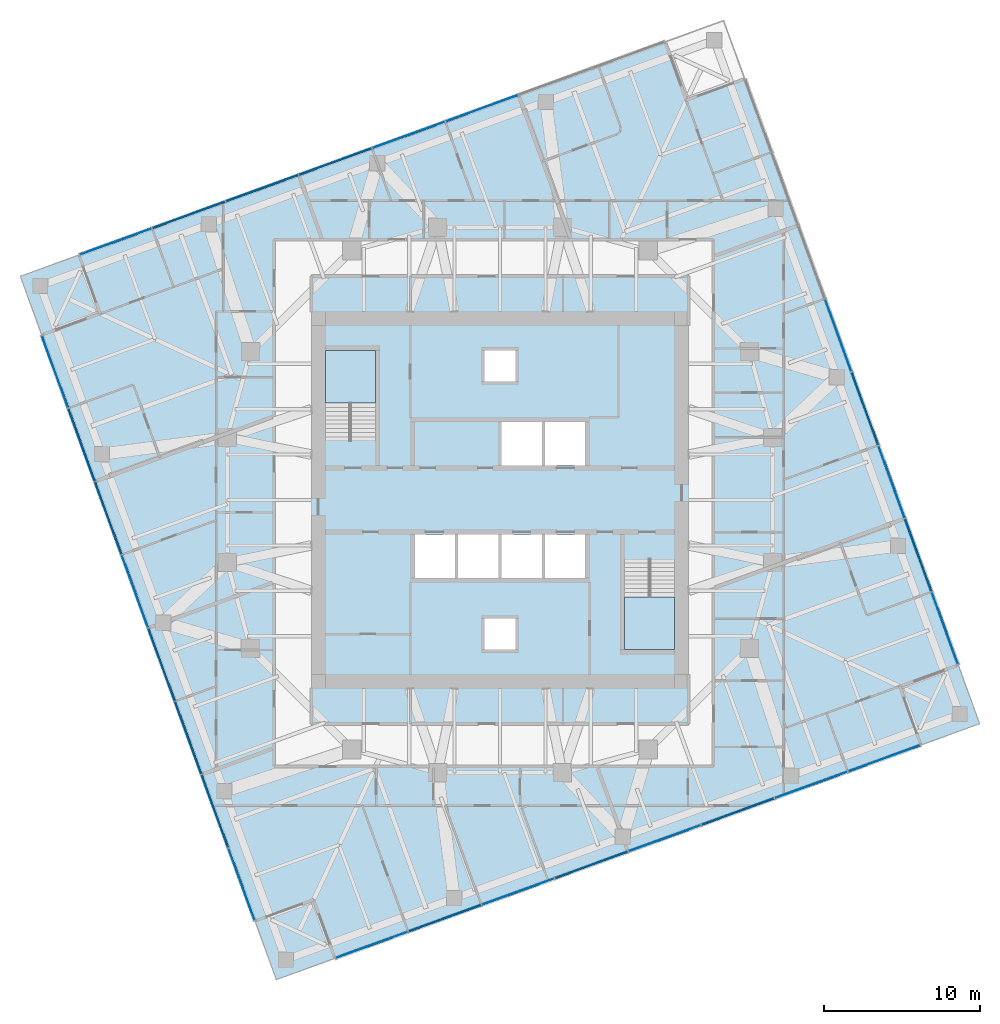
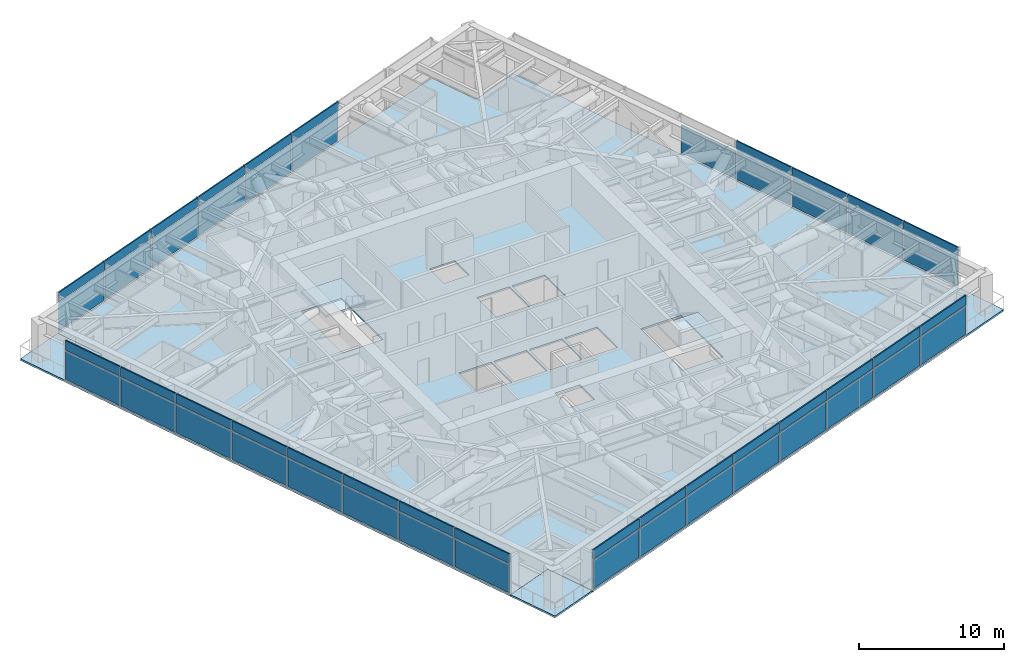
# One storey, part 8 of 16: 53 plates, 6 slabs, 6 elements without a shape of their own.
"""IFC4 building model written with IfcOpenShell, lengths in metres."""

import ifcopenshell
import ifcopenshell.guid

model = None  # the IFC model being written
_history = None  # IfcOwnerHistory: only IFC2X3 demands one
_inside = {}  # id of a spatial element -> (the spatial element, [elements in it])
_under = {}  # id of a project, library or spatial element -> (it, [spatial elements below it])
_declared = {}  # id of a project -> (the project, [libraries it declares])
_typed = {}  # id of a type object -> (the type object, [elements of that type])
_made_of = {}  # id of a material, layer set ... -> (it, [elements and type objects made of it])


def new_model(schema):
    """Start an empty IFC model of exactly this schema.

    Asked for "IFC4X3", IfcOpenShell would pick the latest addendum, in which some entities
    have other attributes; the version numbers below select the first issue.
    IFC2X3 requires an IfcOwnerHistory on every rooted entity: one is made here for all.
    """
    global model, _history
    if schema == "IFC4X3":
        model = ifcopenshell.file(schema_version=(4, 3, 0, 0))
    else:
        model = ifcopenshell.file(schema=schema)
    _inside.clear()
    _under.clear()
    _declared.clear()
    _typed.clear()
    _made_of.clear()
    _history = None
    if model.schema == "IFC2X3":
        org = make("IfcOrganization", Name="unknown")
        user = make(
            "IfcPersonAndOrganization",
            ThePerson=make("IfcPerson", FamilyName="unknown"),
            TheOrganization=org,
        )
        app = make(
            "IfcApplication",
            ApplicationDeveloper=org,
            Version="unknown",
            ApplicationFullName="unknown",
            ApplicationIdentifier="unknown",
        )
        _history = make(
            "IfcOwnerHistory",
            OwningUser=user,
            OwningApplication=app,
            ChangeAction="ADDED",
            CreationDate=0,
        )
    return model


def make(cls, **values):
    """One entity of the class cls with the attributes given. An attribute that is None is left unset."""
    return model.create_entity(
        cls, **{name: value for name, value in values.items() if value is not None}
    )


def rooted(cls, **values):
    """An entity with a GlobalId (a new one), such as an element, a storey or a relation."""
    return make(cls, GlobalId=ifcopenshell.guid.new(), OwnerHistory=_history, **values)


def si_unit(unit_type, name, prefix=None):
    """IfcSIUnit, for example si_unit("LENGTHUNIT", "METRE", prefix="MILLI")."""
    return make("IfcSIUnit", UnitType=unit_type, Prefix=prefix, Name=name)


def assignment(units):
    """IfcUnitAssignment: the units of a project."""
    return None if units is None else make("IfcUnitAssignment", Units=units)


def point(xyz):
    """IfcCartesianPoint."""
    return None if xyz is None else make("IfcCartesianPoint", Coordinates=xyz)


def direction(xyz):
    """IfcDirection."""
    return None if xyz is None else make("IfcDirection", DirectionRatios=xyz)


def frame(location, z_axis=None, x_axis=None):
    """IfcAxis2Placement3D, a coordinate frame: its origin and axes. An axis left out is left unset."""
    return make(
        "IfcAxis2Placement3D",
        Location=point(location),
        Axis=direction(z_axis),
        RefDirection=direction(x_axis),
    )


def frame_2d(location, x_axis=None):
    """IfcAxis2Placement2D, a coordinate frame in the plane: its origin and x axis."""
    return make(
        "IfcAxis2Placement2D", Location=point(location), RefDirection=direction(x_axis)
    )


def origin():
    """The frame at (0, 0, 0) with its axes left unset."""
    return frame((0.0, 0.0, 0.0))


def origin_2d():
    """The frame at (0, 0) in the plane with its x axis left unset."""
    return frame_2d((0.0, 0.0))


def place(relative_to, where):
    """IfcLocalPlacement: puts the frame where relative to a parent placement (None: the world)."""
    return make(
        "IfcLocalPlacement", PlacementRelTo=relative_to, RelativePlacement=where
    )


def context(
    kind, dimensions, precision=None, world=None, true_north=None, identifier=None
):
    """IfcGeometricRepresentationContext, for example the 3D "Model" context."""
    return make(
        "IfcGeometricRepresentationContext",
        ContextIdentifier=identifier,
        ContextType=kind,
        CoordinateSpaceDimension=dimensions,
        Precision=precision,
        WorldCoordinateSystem=world,
        TrueNorth=true_north,
    )


def subcontext(parent, identifier, kind, view, scale=None):
    """IfcGeometricRepresentationSubContext, for example "Body" below "Model"."""
    return make(
        "IfcGeometricRepresentationSubContext",
        ContextIdentifier=identifier,
        ContextType=kind,
        ParentContext=parent,
        TargetScale=scale,
        TargetView=view,
    )


def project(units=None, contexts=None):
    """IfcProject with its units and contexts."""
    return rooted(
        "IfcProject",
        Name="project",
        RepresentationContexts=contexts,
        UnitsInContext=assignment(units),
    )


def spatial(cls, under=None, at=None, **own):
    """A site, building, storey or space (cls), placed at a placement, below another one or the project."""
    s = rooted(cls, ObjectPlacement=at, **own)
    if under is not None:
        _under.setdefault(under.id(), (under, []))[1].append(s)
    return s


def polyline(points):
    """IfcPolyline through the points."""
    return make("IfcPolyline", Points=[point(p) for p in points])


def profile(cls, at=None, kind="AREA", **sizes):
    """A parametric profile (cls). Its sizes go by their IFC names, for example OverallWidth=200.0."""
    return make(cls, ProfileType=kind, Position=at, **sizes)


def rectangle(**sizes):
    """IfcRectangleProfileDef."""
    return profile("IfcRectangleProfileDef", **sizes)


def outline(outer, holes=None, kind="AREA"):
    """IfcArbitraryClosedProfileDef: a profile drawn as a closed curve; with holes, ...WithVoids."""
    if holes is None:
        return make("IfcArbitraryClosedProfileDef", ProfileType=kind, OuterCurve=outer)
    return make(
        "IfcArbitraryProfileDefWithVoids",
        ProfileType=kind,
        OuterCurve=outer,
        InnerCurves=holes,
    )


def extrude(swept, where, along, depth):
    """IfcExtrudedAreaSolid: the profile swept, set in the frame where, extruded along a direction by depth."""
    return make(
        "IfcExtrudedAreaSolid",
        SweptArea=swept,
        Position=where,
        ExtrudedDirection=direction(along),
        Depth=depth,
    )


def shape(context_of_items, identifier, shape_type, items):
    """IfcShapeRepresentation: the items that make up one representation, for example the "Body"."""
    return make(
        "IfcShapeRepresentation",
        ContextOfItems=context_of_items,
        RepresentationIdentifier=identifier,
        RepresentationType=shape_type,
        Items=items,
    )


def material(Name=None, Category=None):
    """IfcMaterial."""
    return make("IfcMaterial", Name=Name, Category=Category)


def layer(
    of_material, thickness, ventilated=None, Name=None, Category=None, Priority=None
):
    """IfcMaterialLayer: one layer of a wall or slab, of a material (None: an air gap)."""
    return make(
        "IfcMaterialLayer",
        Material=of_material,
        LayerThickness=thickness,
        IsVentilated=ventilated,
        Name=Name,
        Category=Category,
        Priority=Priority,
    )


def layer_set(layers, Name=None):
    """IfcMaterialLayerSet."""
    return make("IfcMaterialLayerSet", MaterialLayers=layers, LayerSetName=Name)


def made_of(thing, what):
    """Note that an element or type object is made of a material, layer set ...; save() writes the relation."""
    if what is not None:
        _made_of.setdefault(what.id(), (what, []))[1].append(thing)
    return thing


def type_object(cls, material=None, **own):
    """A type object (cls), such as IfcWallType, which elements share."""
    return made_of(rooted(cls, **own), material)


def element(
    cls,
    number,
    at=None,
    inside=None,
    cuts=None,
    type_object=None,
    material=None,
    context=None,
    identifier="Body",
    shape_type=None,
    held_by="IfcProductDefinitionShape",
    body=None,
    shapes=None,
    **own,
):
    """One element of the class cls, such as IfcWall. Its Tag is "e" and its number.

    at: its placement. inside: the storey or other place that contains it. cuts: it is an
    opening in that element (IfcRelVoidsElement). A single representation is given by context,
    identifier, shape_type and body (its items); several are given by shapes. held_by: the class
    of the entity that holds the representations. save() writes the other relations.
    """
    e = rooted(cls, Tag="e%d" % number, ObjectPlacement=at, **own)
    if body is not None:
        shapes = [shape(context, identifier, shape_type, body)]
    if shapes is not None:
        e.Representation = make(held_by, Representations=shapes)
    if inside is not None:
        _inside.setdefault(inside.id(), (inside, []))[1].append(e)
    if cuts is not None:
        rooted(
            "IfcRelVoidsElement", RelatingBuildingElement=cuts, RelatedOpeningElement=e
        )
    if type_object is not None:
        _typed.setdefault(type_object.id(), (type_object, []))[1].append(e)
    return made_of(e, material)


def aggregate(whole, parts):
    """IfcRelAggregates: a whole, such as a stair, and the parts it consists of."""
    return rooted("IfcRelAggregates", RelatingObject=whole, RelatedObjects=parts)


def save(model, path):
    """Write the relations noted so far, then the file.

    IfcRelAggregates (storeys below a building ...), IfcRelContainedInSpatialStructure (elements
    in a storey), IfcRelDefinesByType, IfcRelAssociatesMaterial and IfcRelDeclares: one each for
    every whole, place, type object, material and project.
    """
    for whole, parts in _under.values():
        aggregate(whole, parts)
    for where, things in _inside.values():
        rooted(
            "IfcRelContainedInSpatialStructure",
            RelatedElements=things,
            RelatingStructure=where,
        )
    for kind, things in _typed.values():
        rooted("IfcRelDefinesByType", RelatedObjects=things, RelatingType=kind)
    for what, things in _made_of.values():
        rooted("IfcRelAssociatesMaterial", RelatedObjects=things, RelatingMaterial=what)
    for by, libraries in _declared.values():
        rooted("IfcRelDeclares", RelatingContext=by, RelatedDefinitions=libraries)
    model.write(path)


model = new_model("IFC4")

# Units and contexts
model_context = context("Model", 3, precision=1e-05, world=origin(), true_north=direction((0.0, 1.0)))
body_context = subcontext(model_context, "Body", "Model", "MODEL_VIEW")
ifc_project = project(units=[si_unit("LENGTHUNIT", "METRE"), si_unit("AREAUNIT", "SQUARE_METRE"), si_unit("VOLUMEUNIT", "CUBIC_METRE"), si_unit("PLANEANGLEUNIT", "RADIAN"), si_unit("MASSUNIT", "GRAM", prefix="KILO")], contexts=[model_context])

# Site, building, storey
site_placement = place(None, origin())
site = spatial("IfcSite", under=ifc_project, at=site_placement, CompositionType="ELEMENT")
building_placement = place(site_placement, origin())
building = spatial("IfcBuilding", under=site, at=building_placement, Name="Torsade Residences", CompositionType="ELEMENT")
storey_placement = place(building_placement, frame((0.0, 0.0, 167.60009765625)))
storey = spatial("IfcBuildingStorey", under=building, at=storey_placement, Name="L46", CompositionType="ELEMENT", Elevation=167.60009765625)

# Slab
ifc_material_1 = material(Name="Concrete 40 MPa", Category="concrete")
ifc_layer_1 = layer(ifc_material_1, 0.14990234375)
ifc_layer_set_1 = layer_set([ifc_layer_1], Name="Concrete 40 MPa")
slab_type_1 = type_object("IfcSlabType", Name="COMPOSITE FLOOR SLAB 150", PredefinedType="FLOOR", material=ifc_layer_set_1)
slab_1_placement = place(storey_placement, frame((0.0, 0.0, -0.150146484375)))
element("IfcSlab", 1, at=slab_1_placement, inside=storey, type_object=slab_type_1, Name="Floor slab L46", PredefinedType="FLOOR", context=body_context, shape_type="SweptSolid", body=[
    extrude(outline(polyline([(29.41455078125, 0.60693359375), (67.00244140625, 14.287841796875), (65.63427734375, 18.046630859375), (69.39306640625, 19.41455078125), (55.712158203125, 57.00244140625), (51.953369140625, 55.63427734375), (50.58544921875, 59.39306640625), (12.99755859375, 45.712158203125), (14.36572265625, 41.953369140625), (10.60693359375, 40.58544921875), (24.287841796875, 2.99755859375), (28.046630859375, 4.36572265625), (29.41455078125, 0.60693359375)]), holes=[polyline([(51.199951171875, 26.1201171875), (48.0, 26.1201171875), (48.0, 20.39990234375), (51.199951171875, 20.39990234375), (51.199951171875, 26.1201171875)]), polyline([(45.5, 27.800048828125), (42.89990234375, 27.800048828125), (42.89990234375, 25.0), (45.5, 25.0), (45.5, 27.800048828125)]), polyline([(45.5, 35.0), (42.89990234375, 35.0), (42.89990234375, 32.199951171875), (45.5, 32.199951171875), (45.5, 35.0)]), polyline([(42.699951171875, 25.0), (42.699951171875, 27.800048828125), (40.10009765625, 27.800048828125), (40.10009765625, 25.0), (42.699951171875, 25.0)]), polyline([(42.699951171875, 35.0), (40.10009765625, 35.0), (40.10009765625, 32.199951171875), (42.699951171875, 32.199951171875), (42.699951171875, 35.0)]), polyline([(41.0, 22.39990234375), (39.0, 22.39990234375), (39.0, 20.39990234375), (41.0, 20.39990234375), (41.0, 22.39990234375)]), polyline([(41.0, 37.60009765625), (41.0, 39.60009765625), (39.0, 39.60009765625), (39.0, 37.60009765625), (41.0, 37.60009765625)]), polyline([(39.89990234375, 25.0), (39.89990234375, 27.800048828125), (37.300048828125, 27.800048828125), (37.300048828125, 25.0), (39.89990234375, 25.0)]), polyline([(37.10009765625, 27.800048828125), (34.5, 27.800048828125), (34.5, 25.0), (37.10009765625, 25.0), (37.10009765625, 27.800048828125)]), polyline([(32.0, 33.8798828125), (32.0, 39.60009765625), (28.800048828125, 39.60009765625), (28.800048828125, 33.8798828125), (32.0, 33.8798828125)])]), origin(), (0.0, 0.0, 1.0), 0.150146484375),
])

# Curtain wall, plates
ifc_material_2 = material(Name="Aluminium and glass", Category="aluminium")
curtain_wall_type = type_object("IfcCurtainWallType", Name="FRITTED GLASS CURTAIN WALL MID ZONE", PredefinedType="NOTDEFINED", material=ifc_material_2)
curtain_wall_1_placement = place(storey_placement, origin())
curtain_wall_1 = element("IfcCurtainWall", 2, at=curtain_wall_1_placement, inside=storey, type_object=curtain_wall_type, Name="Curtain wall L46 face 1", PredefinedType="NOTDEFINED")
ifc_material_3 = material(Name="Laminated glass", Category="glass")
ifc_layer_2 = layer(ifc_material_3, 0.031982421875)
ifc_layer_set_2 = layer_set([ifc_layer_2], Name="Laminated glass")
plate_type_1 = type_object("IfcPlateType", Name="FRITTED GLASS PANEL", PredefinedType="CURTAIN_PANEL", material=ifc_layer_set_2)
plate_1_placement = place(storey_placement, frame((31.78271484375, 1.46875, 0.10986328125), z_axis=(0.0, 0.0, 1.0), x_axis=(0.939692619132, 0.342020147869, 0.0)))
plate_1 = element("IfcPlate", 3, at=plate_1_placement, type_object=plate_type_1, Name="Panel 1", PredefinedType="CURTAIN_PANEL", context=body_context, shape_type="SweptSolid", body=[
    extrude(rectangle(XDim=4.8798828125, YDim=0.031982421875, at=origin_2d()), origin(), (0.0, 0.0, 1.0), 2.389892578125),
])
plate_2_placement = place(storey_placement, frame((41.160888671875, 4.88232421875, 0.10986328125), z_axis=(0.0, 0.0, 1.0), x_axis=(0.939692619132, 0.342020147869, 0.0)))
plate_2 = element("IfcPlate", 4, at=plate_2_placement, type_object=plate_type_1, Name="Panel 3", PredefinedType="CURTAIN_PANEL", context=body_context, shape_type="SweptSolid", body=[
    extrude(rectangle(XDim=4.919921875, YDim=0.031982421875, at=origin_2d()), origin(), (0.0, 0.0, 1.0), 2.389892578125),
])
plate_3_placement = place(storey_placement, frame((45.859130859375, 6.59228515625, 0.10986328125), z_axis=(0.0, 0.0, 1.0), x_axis=(0.939692619132, 0.342020147869, 0.0)))
plate_3 = element("IfcPlate", 5, at=plate_3_placement, type_object=plate_type_1, Name="Panel 4", PredefinedType="CURTAIN_PANEL", context=body_context, shape_type="SweptSolid", body=[
    extrude(rectangle(XDim=4.919921875, YDim=0.031982421875, at=origin_2d()), origin(), (0.0, 0.0, 1.0), 2.389892578125),
])
plate_4_placement = place(storey_placement, frame((50.5576171875, 8.302490234375, 0.10986328125), z_axis=(0.0, 0.0, 1.0), x_axis=(0.939692619132, 0.342020147869, 0.0)))
plate_4 = element("IfcPlate", 6, at=plate_4_placement, type_object=plate_type_1, Name="Panel 5", PredefinedType="CURTAIN_PANEL", context=body_context, shape_type="SweptSolid", body=[
    extrude(rectangle(XDim=4.919921875, YDim=0.031982421875, at=origin_2d()), origin(), (0.0, 0.0, 1.0), 2.389892578125),
])
plate_5_placement = place(storey_placement, frame((59.95458984375, 11.72265625, 0.10986328125), z_axis=(0.0, 0.0, 1.0), x_axis=(0.939692619132, 0.342020147869, 0.0)))
plate_5 = element("IfcPlate", 7, at=plate_5_placement, type_object=plate_type_1, Name="Panel 7", PredefinedType="CURTAIN_PANEL", context=body_context, shape_type="SweptSolid", body=[
    extrude(rectangle(XDim=4.919921875, YDim=0.031982421875, at=origin_2d()), origin(), (0.0, 0.0, 1.0), 2.389892578125),
])
plate_6_placement = place(storey_placement, frame((64.63427734375, 13.42578125, 0.10986328125), z_axis=(0.0, 0.0, 1.0), x_axis=(0.939692619132, 0.342020147869, 0.0)))
plate_6 = element("IfcPlate", 8, at=plate_6_placement, type_object=plate_type_1, Name="Panel 8", PredefinedType="CURTAIN_PANEL", context=body_context, shape_type="SweptSolid", body=[
    extrude(rectangle(XDim=4.8798828125, YDim=0.031982421875, at=origin_2d()), origin(), (0.0, 0.0, 1.0), 2.389892578125),
])

curtain_wall_2_placement = place(storey_placement, origin())
curtain_wall_2 = element("IfcCurtainWall", 9, at=curtain_wall_2_placement, inside=storey, type_object=curtain_wall_type, Name="Curtain wall L46 face 4", PredefinedType="NOTDEFINED")
plate_7_placement = place(storey_placement, frame((68.53125, 21.78271484375, 0.10986328125), z_axis=(0.0, 0.0, 1.0), x_axis=(-0.342020147869, 0.939692619132, 0.0)))
plate_7 = element("IfcPlate", 10, at=plate_7_placement, type_object=plate_type_1, Name="Panel 1", PredefinedType="CURTAIN_PANEL", context=body_context, shape_type="SweptSolid", body=[
    extrude(rectangle(XDim=4.8798828125, YDim=0.031982421875, at=origin_2d()), origin(), (0.0, 0.0, 1.0), 2.389892578125),
])
plate_8_placement = place(storey_placement, frame((65.11767578125, 31.160888671875, 0.10986328125), z_axis=(0.0, 0.0, 1.0), x_axis=(-0.342020147869, 0.939692619132, 0.0)))
plate_8 = element("IfcPlate", 11, at=plate_8_placement, type_object=plate_type_1, Name="Panel 3", PredefinedType="CURTAIN_PANEL", context=body_context, shape_type="SweptSolid", body=[
    extrude(rectangle(XDim=4.919921875, YDim=0.031982421875, at=origin_2d()), origin(), (0.0, 0.0, 1.0), 2.389892578125),
])
plate_9_placement = place(storey_placement, frame((63.40771484375, 35.859130859375, 0.10986328125), z_axis=(0.0, 0.0, 1.0), x_axis=(-0.342020147869, 0.939692619132, 0.0)))
plate_9 = element("IfcPlate", 12, at=plate_9_placement, type_object=plate_type_1, Name="Panel 4", PredefinedType="CURTAIN_PANEL", context=body_context, shape_type="SweptSolid", body=[
    extrude(rectangle(XDim=4.919921875, YDim=0.031982421875, at=origin_2d()), origin(), (0.0, 0.0, 1.0), 2.389892578125),
])
plate_10_placement = place(storey_placement, frame((61.697509765625, 40.5576171875, 0.10986328125), z_axis=(0.0, 0.0, 1.0), x_axis=(-0.342020147869, 0.939692619132, 0.0)))
plate_10 = element("IfcPlate", 13, at=plate_10_placement, type_object=plate_type_1, Name="Panel 5", PredefinedType="CURTAIN_PANEL", context=body_context, shape_type="SweptSolid", body=[
    extrude(rectangle(XDim=4.919921875, YDim=0.031982421875, at=origin_2d()), origin(), (0.0, 0.0, 1.0), 2.389892578125),
])

curtain_wall_3_placement = place(storey_placement, origin())
curtain_wall_3 = element("IfcCurtainWall", 14, at=curtain_wall_3_placement, inside=storey, type_object=curtain_wall_type, Name="Curtain wall L46 face 7", PredefinedType="NOTDEFINED")
plate_11_placement = place(storey_placement, frame((38.839111328125, 55.11767578125, 0.10986328125), z_axis=(0.0, 0.0, 1.0), x_axis=(-0.939692619132, -0.342020147869, 0.0)))
plate_11 = element("IfcPlate", 15, at=plate_11_placement, type_object=plate_type_1, Name="Panel 3", PredefinedType="CURTAIN_PANEL", context=body_context, shape_type="SweptSolid", body=[
    extrude(rectangle(XDim=4.919921875, YDim=0.031982421875, at=origin_2d()), origin(), (0.0, 0.0, 1.0), 2.389892578125),
])
plate_12_placement = place(storey_placement, frame((34.140869140625, 53.40771484375, 0.10986328125), z_axis=(0.0, 0.0, 1.0), x_axis=(-0.939692619132, -0.342020147869, 0.0)))
plate_12 = element("IfcPlate", 16, at=plate_12_placement, type_object=plate_type_1, Name="Panel 4", PredefinedType="CURTAIN_PANEL", context=body_context, shape_type="SweptSolid", body=[
    extrude(rectangle(XDim=4.919921875, YDim=0.031982421875, at=origin_2d()), origin(), (0.0, 0.0, 1.0), 2.389892578125),
])
plate_13_placement = place(storey_placement, frame((29.4423828125, 51.697509765625, 0.10986328125), z_axis=(0.0, 0.0, 1.0), x_axis=(-0.939692619132, -0.342020147869, 0.0)))
plate_13 = element("IfcPlate", 17, at=plate_13_placement, type_object=plate_type_1, Name="Panel 5", PredefinedType="CURTAIN_PANEL", context=body_context, shape_type="SweptSolid", body=[
    extrude(rectangle(XDim=4.919921875, YDim=0.031982421875, at=origin_2d()), origin(), (0.0, 0.0, 1.0), 2.389892578125),
])
plate_14_placement = place(storey_placement, frame((20.04541015625, 48.27734375, 0.10986328125), z_axis=(0.0, 0.0, 1.0), x_axis=(-0.939692619132, -0.342020147869, 0.0)))
plate_14 = element("IfcPlate", 18, at=plate_14_placement, type_object=plate_type_1, Name="Panel 7", PredefinedType="CURTAIN_PANEL", context=body_context, shape_type="SweptSolid", body=[
    extrude(rectangle(XDim=4.919921875, YDim=0.031982421875, at=origin_2d()), origin(), (0.0, 0.0, 1.0), 2.389892578125),
])
plate_15_placement = place(storey_placement, frame((15.36572265625, 46.57421875, 0.10986328125), z_axis=(0.0, 0.0, 1.0), x_axis=(-0.939692619132, -0.342020147869, 0.0)))
plate_15 = element("IfcPlate", 19, at=plate_15_placement, type_object=plate_type_1, Name="Panel 8", PredefinedType="CURTAIN_PANEL", context=body_context, shape_type="SweptSolid", body=[
    extrude(rectangle(XDim=4.8798828125, YDim=0.031982421875, at=origin_2d()), origin(), (0.0, 0.0, 1.0), 2.389892578125),
])

curtain_wall_4_placement = place(storey_placement, origin())
curtain_wall_4 = element("IfcCurtainWall", 20, at=curtain_wall_4_placement, inside=storey, type_object=curtain_wall_type, Name="Curtain wall L46 face 10", PredefinedType="NOTDEFINED")
plate_16_placement = place(storey_placement, frame((11.46875, 38.21728515625, 0.10986328125), z_axis=(0.0, 0.0, 1.0), x_axis=(0.342020147869, -0.939692619132, 0.0)))
plate_16 = element("IfcPlate", 21, at=plate_16_placement, type_object=plate_type_1, Name="Panel 1", PredefinedType="CURTAIN_PANEL", context=body_context, shape_type="SweptSolid", body=[
    extrude(rectangle(XDim=4.8798828125, YDim=0.031982421875, at=origin_2d()), origin(), (0.0, 0.0, 1.0), 2.389892578125),
])
plate_17_placement = place(storey_placement, frame((14.88232421875, 28.839111328125, 0.10986328125), z_axis=(0.0, 0.0, 1.0), x_axis=(0.342020147869, -0.939692619132, 0.0)))
plate_17 = element("IfcPlate", 22, at=plate_17_placement, type_object=plate_type_1, Name="Panel 3", PredefinedType="CURTAIN_PANEL", context=body_context, shape_type="SweptSolid", body=[
    extrude(rectangle(XDim=4.919921875, YDim=0.031982421875, at=origin_2d()), origin(), (0.0, 0.0, 1.0), 2.389892578125),
])
plate_18_placement = place(storey_placement, frame((16.59228515625, 24.140869140625, 0.10986328125), z_axis=(0.0, 0.0, 1.0), x_axis=(0.342020147869, -0.939692619132, 0.0)))
plate_18 = element("IfcPlate", 23, at=plate_18_placement, type_object=plate_type_1, Name="Panel 4", PredefinedType="CURTAIN_PANEL", context=body_context, shape_type="SweptSolid", body=[
    extrude(rectangle(XDim=4.919921875, YDim=0.031982421875, at=origin_2d()), origin(), (0.0, 0.0, 1.0), 2.389892578125),
])
plate_19_placement = place(storey_placement, frame((18.302490234375, 19.4423828125, 0.10986328125), z_axis=(0.0, 0.0, 1.0), x_axis=(0.342020147869, -0.939692619132, 0.0)))
plate_19 = element("IfcPlate", 24, at=plate_19_placement, type_object=plate_type_1, Name="Panel 5", PredefinedType="CURTAIN_PANEL", context=body_context, shape_type="SweptSolid", body=[
    extrude(rectangle(XDim=4.919921875, YDim=0.031982421875, at=origin_2d()), origin(), (0.0, 0.0, 1.0), 2.389892578125),
])
plate_20_placement = place(storey_placement, frame((21.72265625, 10.04541015625, 0.10986328125), z_axis=(0.0, 0.0, 1.0), x_axis=(0.342020147869, -0.939692619132, 0.0)))
plate_20 = element("IfcPlate", 25, at=plate_20_placement, type_object=plate_type_1, Name="Panel 7", PredefinedType="CURTAIN_PANEL", context=body_context, shape_type="SweptSolid", body=[
    extrude(rectangle(XDim=4.919921875, YDim=0.031982421875, at=origin_2d()), origin(), (0.0, 0.0, 1.0), 2.389892578125),
])
plate_21_placement = place(storey_placement, frame((23.42578125, 5.36572265625, 0.10986328125), z_axis=(0.0, 0.0, 1.0), x_axis=(0.342020147869, -0.939692619132, 0.0)))
plate_21 = element("IfcPlate", 26, at=plate_21_placement, type_object=plate_type_1, Name="Panel 8", PredefinedType="CURTAIN_PANEL", context=body_context, shape_type="SweptSolid", body=[
    extrude(rectangle(XDim=4.8798828125, YDim=0.031982421875, at=origin_2d()), origin(), (0.0, 0.0, 1.0), 2.389892578125),
])

# Plate
ifc_material_4 = material(Name="Aluminium composite spandrel panel", Category="aluminium")
ifc_layer_3 = layer(ifc_material_4, 0.10009765625)
ifc_layer_set_3 = layer_set([ifc_layer_3], Name="Aluminium composite spandrel panel")
plate_type_2 = type_object("IfcPlateType", Name="OPAQUE SPANDREL PANEL", PredefinedType="CURTAIN_PANEL", material=ifc_layer_set_3)
plate_22_placement = place(storey_placement, frame((31.78271484375, 1.46875, 2.60986328125), z_axis=(0.0, 0.0, 1.0), x_axis=(0.939692619132, 0.342020147869, 0.0)))
plate_22 = element("IfcPlate", 27, at=plate_22_placement, type_object=plate_type_2, Name="Spandrel panel 1", PredefinedType="CURTAIN_PANEL", context=body_context, shape_type="SweptSolid", body=[
    extrude(rectangle(XDim=4.8798828125, YDim=0.10009765625, at=origin_2d()), origin(), (0.0, 0.0, 1.0), 0.7900390625),
])

plate_23_placement = place(storey_placement, frame((36.46240234375, 3.172119140625, 2.60986328125), z_axis=(0.0, 0.0, 1.0), x_axis=(0.939692619132, 0.342020147869, 0.0)))
plate_23 = element("IfcPlate", 28, at=plate_23_placement, type_object=plate_type_2, Name="Spandrel panel 2", PredefinedType="CURTAIN_PANEL", context=body_context, shape_type="SweptSolid", body=[
    extrude(rectangle(XDim=4.919921875, YDim=0.10009765625, at=origin_2d()), origin(), (0.0, 0.0, 1.0), 0.7900390625),
])

plate_24_placement = place(storey_placement, frame((41.160888671875, 4.88232421875, 2.60986328125), z_axis=(0.0, 0.0, 1.0), x_axis=(0.939692619132, 0.342020147869, 0.0)))
plate_24 = element("IfcPlate", 29, at=plate_24_placement, type_object=plate_type_2, Name="Spandrel panel 3", PredefinedType="CURTAIN_PANEL", context=body_context, shape_type="SweptSolid", body=[
    extrude(rectangle(XDim=4.919921875, YDim=0.10009765625, at=origin_2d()), origin(), (0.0, 0.0, 1.0), 0.7900390625),
])

plate_25_placement = place(storey_placement, frame((45.859130859375, 6.59228515625, 2.60986328125), z_axis=(0.0, 0.0, 1.0), x_axis=(0.939692619132, 0.342020147869, 0.0)))
plate_25 = element("IfcPlate", 30, at=plate_25_placement, type_object=plate_type_2, Name="Spandrel panel 4", PredefinedType="CURTAIN_PANEL", context=body_context, shape_type="SweptSolid", body=[
    extrude(rectangle(XDim=4.919921875, YDim=0.10009765625, at=origin_2d()), origin(), (0.0, 0.0, 1.0), 0.7900390625),
])

plate_26_placement = place(storey_placement, frame((50.5576171875, 8.302490234375, 2.60986328125), z_axis=(0.0, 0.0, 1.0), x_axis=(0.939692619132, 0.342020147869, 0.0)))
plate_26 = element("IfcPlate", 31, at=plate_26_placement, type_object=plate_type_2, Name="Spandrel panel 5", PredefinedType="CURTAIN_PANEL", context=body_context, shape_type="SweptSolid", body=[
    extrude(rectangle(XDim=4.919921875, YDim=0.10009765625, at=origin_2d()), origin(), (0.0, 0.0, 1.0), 0.7900390625),
])

plate_27_placement = place(storey_placement, frame((55.256103515625, 10.012451171875, 2.60986328125), z_axis=(0.0, 0.0, 1.0), x_axis=(0.939692619132, 0.342020147869, 0.0)))
plate_27 = element("IfcPlate", 32, at=plate_27_placement, type_object=plate_type_2, Name="Spandrel panel 6", PredefinedType="CURTAIN_PANEL", context=body_context, shape_type="SweptSolid", body=[
    extrude(rectangle(XDim=4.919921875, YDim=0.10009765625, at=origin_2d()), origin(), (0.0, 0.0, 1.0), 0.7900390625),
])

plate_28_placement = place(storey_placement, frame((59.95458984375, 11.72265625, 2.60986328125), z_axis=(0.0, 0.0, 1.0), x_axis=(0.939692619132, 0.342020147869, 0.0)))
plate_28 = element("IfcPlate", 33, at=plate_28_placement, type_object=plate_type_2, Name="Spandrel panel 7", PredefinedType="CURTAIN_PANEL", context=body_context, shape_type="SweptSolid", body=[
    extrude(rectangle(XDim=4.919921875, YDim=0.10009765625, at=origin_2d()), origin(), (0.0, 0.0, 1.0), 0.7900390625),
])

plate_29_placement = place(storey_placement, frame((64.63427734375, 13.42578125, 2.60986328125), z_axis=(0.0, 0.0, 1.0), x_axis=(0.939692619132, 0.342020147869, 0.0)))
plate_29 = element("IfcPlate", 34, at=plate_29_placement, type_object=plate_type_2, Name="Spandrel panel 8", PredefinedType="CURTAIN_PANEL", context=body_context, shape_type="SweptSolid", body=[
    extrude(rectangle(XDim=4.8798828125, YDim=0.10009765625, at=origin_2d()), origin(), (0.0, 0.0, 1.0), 0.7900390625),
])

plate_30_placement = place(storey_placement, frame((68.53125, 21.78271484375, 2.60986328125), z_axis=(0.0, 0.0, 1.0), x_axis=(-0.342020147869, 0.939692619132, 0.0)))
plate_30 = element("IfcPlate", 35, at=plate_30_placement, type_object=plate_type_2, Name="Spandrel panel 1", PredefinedType="CURTAIN_PANEL", context=body_context, shape_type="SweptSolid", body=[
    extrude(rectangle(XDim=4.8798828125, YDim=0.10009765625, at=origin_2d()), origin(), (0.0, 0.0, 1.0), 0.7900390625),
])

plate_31_placement = place(storey_placement, frame((66.827880859375, 26.46240234375, 2.60986328125), z_axis=(0.0, 0.0, 1.0), x_axis=(-0.342020147869, 0.939692619132, 0.0)))
plate_31 = element("IfcPlate", 36, at=plate_31_placement, type_object=plate_type_2, Name="Spandrel panel 2", PredefinedType="CURTAIN_PANEL", context=body_context, shape_type="SweptSolid", body=[
    extrude(rectangle(XDim=4.919921875, YDim=0.10009765625, at=origin_2d()), origin(), (0.0, 0.0, 1.0), 0.7900390625),
])

plate_32_placement = place(storey_placement, frame((65.11767578125, 31.160888671875, 2.60986328125), z_axis=(0.0, 0.0, 1.0), x_axis=(-0.342020147869, 0.939692619132, 0.0)))
plate_32 = element("IfcPlate", 37, at=plate_32_placement, type_object=plate_type_2, Name="Spandrel panel 3", PredefinedType="CURTAIN_PANEL", context=body_context, shape_type="SweptSolid", body=[
    extrude(rectangle(XDim=4.919921875, YDim=0.10009765625, at=origin_2d()), origin(), (0.0, 0.0, 1.0), 0.7900390625),
])

plate_33_placement = place(storey_placement, frame((63.40771484375, 35.859130859375, 2.60986328125), z_axis=(0.0, 0.0, 1.0), x_axis=(-0.342020147869, 0.939692619132, 0.0)))
plate_33 = element("IfcPlate", 38, at=plate_33_placement, type_object=plate_type_2, Name="Spandrel panel 4", PredefinedType="CURTAIN_PANEL", context=body_context, shape_type="SweptSolid", body=[
    extrude(rectangle(XDim=4.919921875, YDim=0.10009765625, at=origin_2d()), origin(), (0.0, 0.0, 1.0), 0.7900390625),
])

plate_34_placement = place(storey_placement, frame((38.839111328125, 55.11767578125, 2.60986328125), z_axis=(0.0, 0.0, 1.0), x_axis=(-0.939692619132, -0.342020147869, 0.0)))
plate_34 = element("IfcPlate", 39, at=plate_34_placement, type_object=plate_type_2, Name="Spandrel panel 3", PredefinedType="CURTAIN_PANEL", context=body_context, shape_type="SweptSolid", body=[
    extrude(rectangle(XDim=4.919921875, YDim=0.10009765625, at=origin_2d()), origin(), (0.0, 0.0, 1.0), 0.7900390625),
])

plate_35_placement = place(storey_placement, frame((34.140869140625, 53.40771484375, 2.60986328125), z_axis=(0.0, 0.0, 1.0), x_axis=(-0.939692619132, -0.342020147869, 0.0)))
plate_35 = element("IfcPlate", 40, at=plate_35_placement, type_object=plate_type_2, Name="Spandrel panel 4", PredefinedType="CURTAIN_PANEL", context=body_context, shape_type="SweptSolid", body=[
    extrude(rectangle(XDim=4.919921875, YDim=0.10009765625, at=origin_2d()), origin(), (0.0, 0.0, 1.0), 0.7900390625),
])

plate_36_placement = place(storey_placement, frame((29.4423828125, 51.697509765625, 2.60986328125), z_axis=(0.0, 0.0, 1.0), x_axis=(-0.939692619132, -0.342020147869, 0.0)))
plate_36 = element("IfcPlate", 41, at=plate_36_placement, type_object=plate_type_2, Name="Spandrel panel 5", PredefinedType="CURTAIN_PANEL", context=body_context, shape_type="SweptSolid", body=[
    extrude(rectangle(XDim=4.919921875, YDim=0.10009765625, at=origin_2d()), origin(), (0.0, 0.0, 1.0), 0.7900390625),
])

plate_37_placement = place(storey_placement, frame((24.743896484375, 49.987548828125, 2.60986328125), z_axis=(0.0, 0.0, 1.0), x_axis=(-0.939692619132, -0.342020147869, 0.0)))
plate_37 = element("IfcPlate", 42, at=plate_37_placement, type_object=plate_type_2, Name="Spandrel panel 6", PredefinedType="CURTAIN_PANEL", context=body_context, shape_type="SweptSolid", body=[
    extrude(rectangle(XDim=4.919921875, YDim=0.10009765625, at=origin_2d()), origin(), (0.0, 0.0, 1.0), 0.7900390625),
])

plate_38_placement = place(storey_placement, frame((20.04541015625, 48.27734375, 2.60986328125), z_axis=(0.0, 0.0, 1.0), x_axis=(-0.939692619132, -0.342020147869, 0.0)))
plate_38 = element("IfcPlate", 43, at=plate_38_placement, type_object=plate_type_2, Name="Spandrel panel 7", PredefinedType="CURTAIN_PANEL", context=body_context, shape_type="SweptSolid", body=[
    extrude(rectangle(XDim=4.919921875, YDim=0.10009765625, at=origin_2d()), origin(), (0.0, 0.0, 1.0), 0.7900390625),
])

plate_39_placement = place(storey_placement, frame((15.36572265625, 46.57421875, 2.60986328125), z_axis=(0.0, 0.0, 1.0), x_axis=(-0.939692619132, -0.342020147869, 0.0)))
plate_39 = element("IfcPlate", 44, at=plate_39_placement, type_object=plate_type_2, Name="Spandrel panel 8", PredefinedType="CURTAIN_PANEL", context=body_context, shape_type="SweptSolid", body=[
    extrude(rectangle(XDim=4.8798828125, YDim=0.10009765625, at=origin_2d()), origin(), (0.0, 0.0, 1.0), 0.7900390625),
])

plate_40_placement = place(storey_placement, frame((11.46875, 38.21728515625, 2.60986328125), z_axis=(0.0, 0.0, 1.0), x_axis=(0.342020147869, -0.939692619132, 0.0)))
plate_40 = element("IfcPlate", 45, at=plate_40_placement, type_object=plate_type_2, Name="Spandrel panel 1", PredefinedType="CURTAIN_PANEL", context=body_context, shape_type="SweptSolid", body=[
    extrude(rectangle(XDim=4.8798828125, YDim=0.10009765625, at=origin_2d()), origin(), (0.0, 0.0, 1.0), 0.7900390625),
])

plate_41_placement = place(storey_placement, frame((13.172119140625, 33.53759765625, 2.60986328125), z_axis=(0.0, 0.0, 1.0), x_axis=(0.342020147869, -0.939692619132, 0.0)))
plate_41 = element("IfcPlate", 46, at=plate_41_placement, type_object=plate_type_2, Name="Spandrel panel 2", PredefinedType="CURTAIN_PANEL", context=body_context, shape_type="SweptSolid", body=[
    extrude(rectangle(XDim=4.919921875, YDim=0.10009765625, at=origin_2d()), origin(), (0.0, 0.0, 1.0), 0.7900390625),
])

plate_42_placement = place(storey_placement, frame((14.88232421875, 28.839111328125, 2.60986328125), z_axis=(0.0, 0.0, 1.0), x_axis=(0.342020147869, -0.939692619132, 0.0)))
plate_42 = element("IfcPlate", 47, at=plate_42_placement, type_object=plate_type_2, Name="Spandrel panel 3", PredefinedType="CURTAIN_PANEL", context=body_context, shape_type="SweptSolid", body=[
    extrude(rectangle(XDim=4.919921875, YDim=0.10009765625, at=origin_2d()), origin(), (0.0, 0.0, 1.0), 0.7900390625),
])

plate_43_placement = place(storey_placement, frame((16.59228515625, 24.140869140625, 2.60986328125), z_axis=(0.0, 0.0, 1.0), x_axis=(0.342020147869, -0.939692619132, 0.0)))
plate_43 = element("IfcPlate", 48, at=plate_43_placement, type_object=plate_type_2, Name="Spandrel panel 4", PredefinedType="CURTAIN_PANEL", context=body_context, shape_type="SweptSolid", body=[
    extrude(rectangle(XDim=4.919921875, YDim=0.10009765625, at=origin_2d()), origin(), (0.0, 0.0, 1.0), 0.7900390625),
])

plate_44_placement = place(storey_placement, frame((18.302490234375, 19.4423828125, 2.60986328125), z_axis=(0.0, 0.0, 1.0), x_axis=(0.342020147869, -0.939692619132, 0.0)))
plate_44 = element("IfcPlate", 49, at=plate_44_placement, type_object=plate_type_2, Name="Spandrel panel 5", PredefinedType="CURTAIN_PANEL", context=body_context, shape_type="SweptSolid", body=[
    extrude(rectangle(XDim=4.919921875, YDim=0.10009765625, at=origin_2d()), origin(), (0.0, 0.0, 1.0), 0.7900390625),
])

plate_45_placement = place(storey_placement, frame((20.012451171875, 14.743896484375, 2.60986328125), z_axis=(0.0, 0.0, 1.0), x_axis=(0.342020147869, -0.939692619132, 0.0)))
plate_45 = element("IfcPlate", 50, at=plate_45_placement, type_object=plate_type_2, Name="Spandrel panel 6", PredefinedType="CURTAIN_PANEL", context=body_context, shape_type="SweptSolid", body=[
    extrude(rectangle(XDim=4.919921875, YDim=0.10009765625, at=origin_2d()), origin(), (0.0, 0.0, 1.0), 0.7900390625),
])

plate_46_placement = place(storey_placement, frame((21.72265625, 10.04541015625, 2.60986328125), z_axis=(0.0, 0.0, 1.0), x_axis=(0.342020147869, -0.939692619132, 0.0)))
plate_46 = element("IfcPlate", 51, at=plate_46_placement, type_object=plate_type_2, Name="Spandrel panel 7", PredefinedType="CURTAIN_PANEL", context=body_context, shape_type="SweptSolid", body=[
    extrude(rectangle(XDim=4.919921875, YDim=0.10009765625, at=origin_2d()), origin(), (0.0, 0.0, 1.0), 0.7900390625),
])

plate_47_placement = place(storey_placement, frame((23.42578125, 5.36572265625, 2.60986328125), z_axis=(0.0, 0.0, 1.0), x_axis=(0.342020147869, -0.939692619132, 0.0)))
plate_47 = element("IfcPlate", 52, at=plate_47_placement, type_object=plate_type_2, Name="Spandrel panel 8", PredefinedType="CURTAIN_PANEL", context=body_context, shape_type="SweptSolid", body=[
    extrude(rectangle(XDim=4.8798828125, YDim=0.10009765625, at=origin_2d()), origin(), (0.0, 0.0, 1.0), 0.7900390625),
])

ifc_material_5 = material(Name="Laminated glass", Category="glass")
ifc_layer_4 = layer(ifc_material_5, 0.0400390625)
ifc_layer_set_4 = layer_set([ifc_layer_4], Name="Laminated glass")
plate_type_3 = type_object("IfcPlateType", Name="OPERABLE VENT PANEL", PredefinedType="CURTAIN_PANEL", material=ifc_layer_set_4)
plate_48_placement = place(storey_placement, frame((36.46240234375, 3.172119140625, 0.10986328125), z_axis=(0.0, 0.0, 1.0), x_axis=(0.939692619132, 0.342020147869, 0.0)))
plate_48 = element("IfcPlate", 53, at=plate_48_placement, type_object=plate_type_3, Name="Panel 2", PredefinedType="CURTAIN_PANEL", context=body_context, shape_type="SweptSolid", body=[
    extrude(rectangle(XDim=4.919921875, YDim=0.0400390625, at=origin_2d()), origin(), (0.0, 0.0, 1.0), 2.389892578125),
])

plate_49_placement = place(storey_placement, frame((55.256103515625, 10.012451171875, 0.10986328125), z_axis=(0.0, 0.0, 1.0), x_axis=(0.939692619132, 0.342020147869, 0.0)))
plate_49 = element("IfcPlate", 54, at=plate_49_placement, type_object=plate_type_3, Name="Panel 6", PredefinedType="CURTAIN_PANEL", context=body_context, shape_type="SweptSolid", body=[
    extrude(rectangle(XDim=4.919921875, YDim=0.0400390625, at=origin_2d()), origin(), (0.0, 0.0, 1.0), 2.389892578125),
])

aggregate(curtain_wall_1, [plate_1, plate_22, plate_48, plate_23, plate_2, plate_24, plate_3, plate_25, plate_4, plate_26, plate_49, plate_27, plate_5, plate_28, plate_6, plate_29])

plate_50_placement = place(storey_placement, frame((66.827880859375, 26.46240234375, 0.10986328125), z_axis=(0.0, 0.0, 1.0), x_axis=(-0.342020147869, 0.939692619132, 0.0)))
plate_50 = element("IfcPlate", 55, at=plate_50_placement, type_object=plate_type_3, Name="Panel 2", PredefinedType="CURTAIN_PANEL", context=body_context, shape_type="SweptSolid", body=[
    extrude(rectangle(XDim=4.919921875, YDim=0.0400390625, at=origin_2d()), origin(), (0.0, 0.0, 1.0), 2.389892578125),
])

aggregate(curtain_wall_2, [plate_7, plate_30, plate_50, plate_31, plate_8, plate_32, plate_9, plate_33, plate_10])

plate_51_placement = place(storey_placement, frame((24.743896484375, 49.987548828125, 0.10986328125), z_axis=(0.0, 0.0, 1.0), x_axis=(-0.939692619132, -0.342020147869, 0.0)))
plate_51 = element("IfcPlate", 56, at=plate_51_placement, type_object=plate_type_3, Name="Panel 6", PredefinedType="CURTAIN_PANEL", context=body_context, shape_type="SweptSolid", body=[
    extrude(rectangle(XDim=4.919921875, YDim=0.0400390625, at=origin_2d()), origin(), (0.0, 0.0, 1.0), 2.389892578125),
])

aggregate(curtain_wall_3, [plate_11, plate_34, plate_12, plate_35, plate_13, plate_36, plate_51, plate_37, plate_14, plate_38, plate_15, plate_39])

plate_52_placement = place(storey_placement, frame((13.172119140625, 33.53759765625, 0.10986328125), z_axis=(0.0, 0.0, 1.0), x_axis=(0.342020147869, -0.939692619132, 0.0)))
plate_52 = element("IfcPlate", 57, at=plate_52_placement, type_object=plate_type_3, Name="Panel 2", PredefinedType="CURTAIN_PANEL", context=body_context, shape_type="SweptSolid", body=[
    extrude(rectangle(XDim=4.919921875, YDim=0.0400390625, at=origin_2d()), origin(), (0.0, 0.0, 1.0), 2.389892578125),
])

plate_53_placement = place(storey_placement, frame((20.012451171875, 14.743896484375, 0.10986328125), z_axis=(0.0, 0.0, 1.0), x_axis=(0.342020147869, -0.939692619132, 0.0)))
plate_53 = element("IfcPlate", 58, at=plate_53_placement, type_object=plate_type_3, Name="Panel 6", PredefinedType="CURTAIN_PANEL", context=body_context, shape_type="SweptSolid", body=[
    extrude(rectangle(XDim=4.919921875, YDim=0.0400390625, at=origin_2d()), origin(), (0.0, 0.0, 1.0), 2.389892578125),
])

aggregate(curtain_wall_4, [plate_16, plate_40, plate_52, plate_41, plate_17, plate_42, plate_18, plate_43, plate_19, plate_44, plate_53, plate_45, plate_20, plate_46, plate_21, plate_47])

# Stair, slab
ifc_material_6 = material(Name="Precast concrete 40 MPa", Category="concrete")
stair_type = type_object("IfcStairType", Name="HALF-TURN FIRE STAIR 1500x3400", PredefinedType="HALF_TURN_STAIR", material=ifc_material_6)
stair_1_placement = place(storey_placement, origin())
stair_1 = element("IfcStair", 59, at=stair_1_placement, inside=storey, type_object=stair_type, Name="Stair ST1 L46", PredefinedType="HALF_TURN_STAIR")
ifc_material_7 = material(Name="Precast concrete 40 MPa", Category="concrete")
ifc_layer_5 = layer(ifc_material_7, 0.179931640625)
ifc_layer_set_5 = layer_set([ifc_layer_5], Name="Precast concrete 40 MPa")
slab_type_2 = type_object("IfcSlabType", Name="PRECAST STAIR LANDING 180", PredefinedType="LANDING", material=ifc_layer_set_5)
slab_2_placement = place(storey_placement, frame((0.0, 0.0, 1.52001953125)))
slab_2 = element("IfcSlab", 60, at=slab_2_placement, type_object=slab_type_2, Name="ST1 landing 1", PredefinedType="LANDING", context=body_context, shape_type="SweptSolid", body=[
    extrude(outline(polyline([(28.800048828125, 36.2099609375), (32.0, 36.2099609375), (32.0, 39.60009765625), (28.800048828125, 39.60009765625), (28.800048828125, 36.2099609375)])), origin(), (0.0, 0.0, 1.0), 0.179931640625),
])
aggregate(stair_1, [slab_2])

stair_2_placement = place(storey_placement, origin())
stair_2 = element("IfcStair", 61, at=stair_2_placement, inside=storey, type_object=stair_type, Name="Stair ST2 L46", PredefinedType="HALF_TURN_STAIR")
slab_3_placement = place(storey_placement, frame((0.0, 0.0, 1.52001953125)))
slab_3 = element("IfcSlab", 62, at=slab_3_placement, type_object=slab_type_2, Name="ST2 landing 1", PredefinedType="LANDING", context=body_context, shape_type="SweptSolid", body=[
    extrude(outline(polyline([(48.0, 20.39990234375), (51.199951171875, 20.39990234375), (51.199951171875, 23.7900390625), (48.0, 23.7900390625), (48.0, 20.39990234375)])), origin(), (0.0, 0.0, 1.0), 0.179931640625),
])
aggregate(stair_2, [slab_3])

# Slabs
ifc_material_8 = material(Name="Concrete 40 MPa", Category="concrete")
ifc_layer_6 = layer(ifc_material_8, 0.14990234375)
ifc_layer_set_6 = layer_set([ifc_layer_6], Name="Concrete 40 MPa")
slab_type_3 = type_object("IfcSlabType", Name="TERRACE SLAB 150", PredefinedType="FLOOR", material=ifc_layer_set_6)
slab_4_placement = place(storey_placement, frame((0.0, 0.0, -0.150146484375)))
element("IfcSlab", 63, at=slab_4_placement, inside=storey, type_object=slab_type_3, Name="Corner terrace slab SE L46", PredefinedType="FLOOR", context=body_context, shape_type="SweptSolid", body=[
    extrude(outline(polyline([(67.00244140625, 14.287841796875), (70.760986328125, 15.65576171875), (69.39306640625, 19.41455078125), (65.63427734375, 18.046630859375), (67.00244140625, 14.287841796875)])), origin(), (0.0, 0.0, 1.0), 0.150146484375),
])
slab_5_placement = place(storey_placement, frame((0.0, 0.0, -0.150146484375)))
element("IfcSlab", 64, at=slab_5_placement, inside=storey, type_object=slab_type_3, Name="Corner terrace slab NW L46", PredefinedType="FLOOR", context=body_context, shape_type="SweptSolid", body=[
    extrude(outline(polyline([(10.60693359375, 40.58544921875), (14.36572265625, 41.953369140625), (12.99755859375, 45.712158203125), (9.239013671875, 44.34423828125), (10.60693359375, 40.58544921875)])), origin(), (0.0, 0.0, 1.0), 0.150146484375),
])
slab_6_placement = place(storey_placement, frame((0.0, 0.0, -0.150146484375)))
element("IfcSlab", 65, at=slab_6_placement, inside=storey, type_object=slab_type_3, Name="Corner terrace slab SW L46", PredefinedType="FLOOR", context=body_context, shape_type="SweptSolid", body=[
    extrude(outline(polyline([(25.65576171875, -0.760986328125), (29.41455078125, 0.60693359375), (28.046630859375, 4.36572265625), (24.287841796875, 2.99755859375), (25.65576171875, -0.760986328125)])), origin(), (0.0, 0.0, 1.0), 0.150146484375),
])

save(model, "model.ifc")
